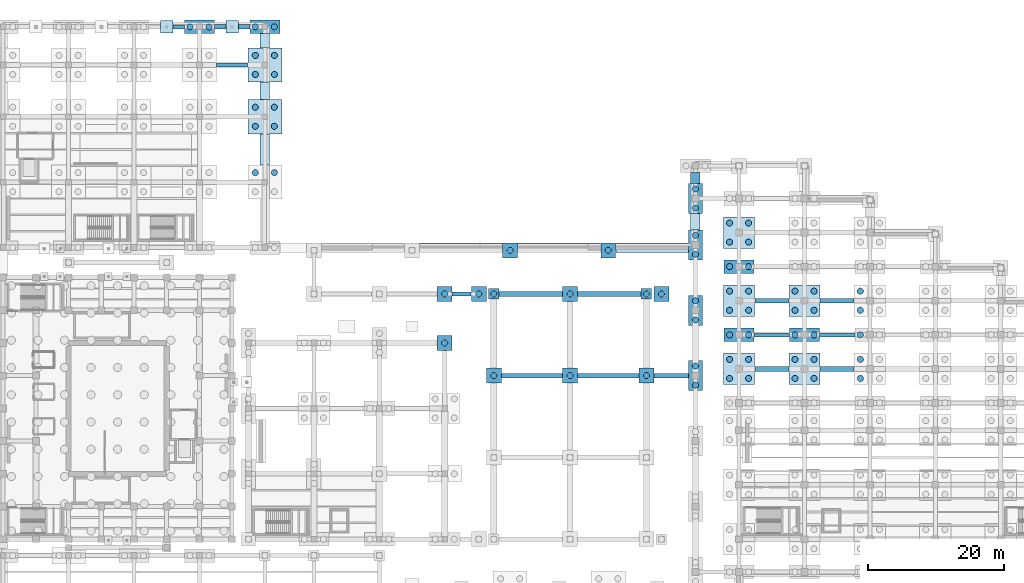
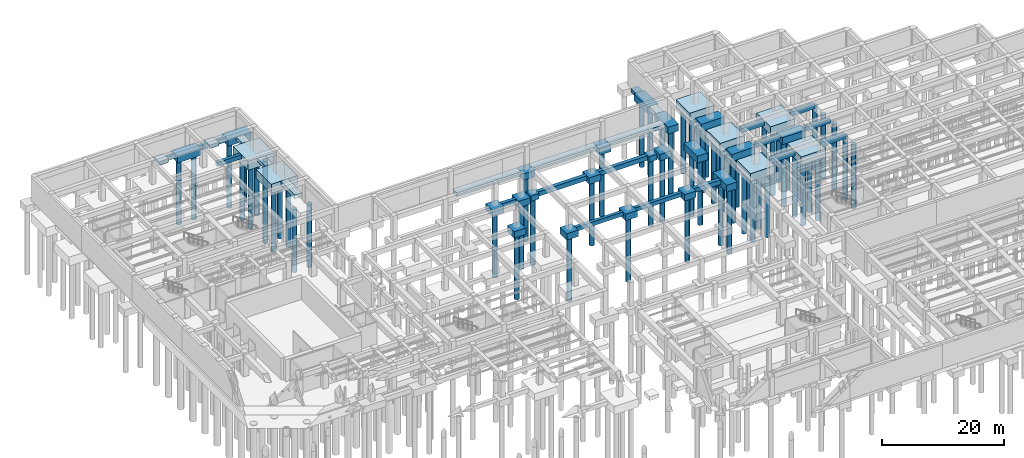
# One storey, part 7 of 56: 65 piles, 54 footings.
"""IFC4 building model written with IfcOpenShell, lengths in metres."""

import ifcopenshell
import ifcopenshell.guid

model = None  # the IFC model being written
_history = None  # IfcOwnerHistory: only IFC2X3 demands one
_inside = {}  # id of a spatial element -> (the spatial element, [elements in it])
_under = {}  # id of a project, library or spatial element -> (it, [spatial elements below it])
_declared = {}  # id of a project -> (the project, [libraries it declares])
_typed = {}  # id of a type object -> (the type object, [elements of that type])
_made_of = {}  # id of a material, layer set ... -> (it, [elements and type objects made of it])


def new_model(schema):
    """Start an empty IFC model of exactly this schema.

    Asked for "IFC4X3", IfcOpenShell would pick the latest addendum, in which some entities
    have other attributes; the version numbers below select the first issue.
    IFC2X3 requires an IfcOwnerHistory on every rooted entity: one is made here for all.
    """
    global model, _history
    if schema == "IFC4X3":
        model = ifcopenshell.file(schema_version=(4, 3, 0, 0))
    else:
        model = ifcopenshell.file(schema=schema)
    _inside.clear()
    _under.clear()
    _declared.clear()
    _typed.clear()
    _made_of.clear()
    _history = None
    if model.schema == "IFC2X3":
        org = make("IfcOrganization", Name="unknown")
        user = make(
            "IfcPersonAndOrganization",
            ThePerson=make("IfcPerson", FamilyName="unknown"),
            TheOrganization=org,
        )
        app = make(
            "IfcApplication",
            ApplicationDeveloper=org,
            Version="unknown",
            ApplicationFullName="unknown",
            ApplicationIdentifier="unknown",
        )
        _history = make(
            "IfcOwnerHistory",
            OwningUser=user,
            OwningApplication=app,
            ChangeAction="ADDED",
            CreationDate=0,
        )
    return model


def make(cls, **values):
    """One entity of the class cls with the attributes given. An attribute that is None is left unset."""
    return model.create_entity(
        cls, **{name: value for name, value in values.items() if value is not None}
    )


def rooted(cls, **values):
    """An entity with a GlobalId (a new one), such as an element, a storey or a relation."""
    return make(cls, GlobalId=ifcopenshell.guid.new(), OwnerHistory=_history, **values)


def si_unit(unit_type, name, prefix=None):
    """IfcSIUnit, for example si_unit("LENGTHUNIT", "METRE", prefix="MILLI")."""
    return make("IfcSIUnit", UnitType=unit_type, Prefix=prefix, Name=name)


def assignment(units):
    """IfcUnitAssignment: the units of a project."""
    return None if units is None else make("IfcUnitAssignment", Units=units)


def point(xyz):
    """IfcCartesianPoint."""
    return None if xyz is None else make("IfcCartesianPoint", Coordinates=xyz)


def direction(xyz):
    """IfcDirection."""
    return None if xyz is None else make("IfcDirection", DirectionRatios=xyz)


def frame(location, z_axis=None, x_axis=None):
    """IfcAxis2Placement3D, a coordinate frame: its origin and axes. An axis left out is left unset."""
    return make(
        "IfcAxis2Placement3D",
        Location=point(location),
        Axis=direction(z_axis),
        RefDirection=direction(x_axis),
    )


def frame_2d(location, x_axis=None):
    """IfcAxis2Placement2D, a coordinate frame in the plane: its origin and x axis."""
    return make(
        "IfcAxis2Placement2D", Location=point(location), RefDirection=direction(x_axis)
    )


def origin():
    """The frame at (0, 0, 0) with its axes left unset."""
    return frame((0.0, 0.0, 0.0))


def origin_2d():
    """The frame at (0, 0) in the plane with its x axis left unset."""
    return frame_2d((0.0, 0.0))


def place(relative_to, where):
    """IfcLocalPlacement: puts the frame where relative to a parent placement (None: the world)."""
    return make(
        "IfcLocalPlacement", PlacementRelTo=relative_to, RelativePlacement=where
    )


def context(
    kind, dimensions, precision=None, world=None, true_north=None, identifier=None
):
    """IfcGeometricRepresentationContext, for example the 3D "Model" context."""
    return make(
        "IfcGeometricRepresentationContext",
        ContextIdentifier=identifier,
        ContextType=kind,
        CoordinateSpaceDimension=dimensions,
        Precision=precision,
        WorldCoordinateSystem=world,
        TrueNorth=true_north,
    )


def subcontext(parent, identifier, kind, view, scale=None):
    """IfcGeometricRepresentationSubContext, for example "Body" below "Model"."""
    return make(
        "IfcGeometricRepresentationSubContext",
        ContextIdentifier=identifier,
        ContextType=kind,
        ParentContext=parent,
        TargetScale=scale,
        TargetView=view,
    )


def project(units=None, contexts=None):
    """IfcProject with its units and contexts."""
    return rooted(
        "IfcProject",
        Name="project",
        RepresentationContexts=contexts,
        UnitsInContext=assignment(units),
    )


def spatial(cls, under=None, at=None, **own):
    """A site, building, storey or space (cls), placed at a placement, below another one or the project."""
    s = rooted(cls, ObjectPlacement=at, **own)
    if under is not None:
        _under.setdefault(under.id(), (under, []))[1].append(s)
    return s


def profile(cls, at=None, kind="AREA", **sizes):
    """A parametric profile (cls). Its sizes go by their IFC names, for example OverallWidth=200.0."""
    return make(cls, ProfileType=kind, Position=at, **sizes)


def rectangle(**sizes):
    """IfcRectangleProfileDef."""
    return profile("IfcRectangleProfileDef", **sizes)


def circle(**sizes):
    """IfcCircleProfileDef."""
    return profile("IfcCircleProfileDef", **sizes)


def extrude(swept, where, along, depth):
    """IfcExtrudedAreaSolid: the profile swept, set in the frame where, extruded along a direction by depth."""
    return make(
        "IfcExtrudedAreaSolid",
        SweptArea=swept,
        Position=where,
        ExtrudedDirection=direction(along),
        Depth=depth,
    )


def shape(context_of_items, identifier, shape_type, items):
    """IfcShapeRepresentation: the items that make up one representation, for example the "Body"."""
    return make(
        "IfcShapeRepresentation",
        ContextOfItems=context_of_items,
        RepresentationIdentifier=identifier,
        RepresentationType=shape_type,
        Items=items,
    )


def material(Name=None, Category=None):
    """IfcMaterial."""
    return make("IfcMaterial", Name=Name, Category=Category)


def material_profile(
    of_material, cross_section, Name=None, Category=None, Priority=None
):
    """IfcMaterialProfile: a cross section and its material."""
    return make(
        "IfcMaterialProfile",
        Name=Name,
        Material=of_material,
        Profile=cross_section,
        Priority=Priority,
        Category=Category,
    )


def profile_set(profiles, Name=None, composite=None):
    """IfcMaterialProfileSet."""
    return make(
        "IfcMaterialProfileSet",
        Name=Name,
        MaterialProfiles=profiles,
        CompositeProfile=composite,
    )


def made_of(thing, what):
    """Note that an element or type object is made of a material, layer set ...; save() writes the relation."""
    if what is not None:
        _made_of.setdefault(what.id(), (what, []))[1].append(thing)
    return thing


def type_object(cls, material=None, **own):
    """A type object (cls), such as IfcWallType, which elements share."""
    return made_of(rooted(cls, **own), material)


def element(
    cls,
    number,
    at=None,
    inside=None,
    cuts=None,
    type_object=None,
    material=None,
    context=None,
    identifier="Body",
    shape_type=None,
    held_by="IfcProductDefinitionShape",
    body=None,
    shapes=None,
    **own,
):
    """One element of the class cls, such as IfcWall. Its Tag is "e" and its number.

    at: its placement. inside: the storey or other place that contains it. cuts: it is an
    opening in that element (IfcRelVoidsElement). A single representation is given by context,
    identifier, shape_type and body (its items); several are given by shapes. held_by: the class
    of the entity that holds the representations. save() writes the other relations.
    """
    e = rooted(cls, Tag="e%d" % number, ObjectPlacement=at, **own)
    if body is not None:
        shapes = [shape(context, identifier, shape_type, body)]
    if shapes is not None:
        e.Representation = make(held_by, Representations=shapes)
    if inside is not None:
        _inside.setdefault(inside.id(), (inside, []))[1].append(e)
    if cuts is not None:
        rooted(
            "IfcRelVoidsElement", RelatingBuildingElement=cuts, RelatedOpeningElement=e
        )
    if type_object is not None:
        _typed.setdefault(type_object.id(), (type_object, []))[1].append(e)
    return made_of(e, material)


def aggregate(whole, parts):
    """IfcRelAggregates: a whole, such as a stair, and the parts it consists of."""
    return rooted("IfcRelAggregates", RelatingObject=whole, RelatedObjects=parts)


def save(model, path):
    """Write the relations noted so far, then the file.

    IfcRelAggregates (storeys below a building ...), IfcRelContainedInSpatialStructure (elements
    in a storey), IfcRelDefinesByType, IfcRelAssociatesMaterial and IfcRelDeclares: one each for
    every whole, place, type object, material and project.
    """
    for whole, parts in _under.values():
        aggregate(whole, parts)
    for where, things in _inside.values():
        rooted(
            "IfcRelContainedInSpatialStructure",
            RelatedElements=things,
            RelatingStructure=where,
        )
    for kind, things in _typed.values():
        rooted("IfcRelDefinesByType", RelatedObjects=things, RelatingType=kind)
    for what, things in _made_of.values():
        rooted("IfcRelAssociatesMaterial", RelatedObjects=things, RelatingMaterial=what)
    for by, libraries in _declared.values():
        rooted("IfcRelDeclares", RelatingContext=by, RelatedDefinitions=libraries)
    model.write(path)


model = new_model("IFC4")

# Units and contexts
model_context = context("Model", 3, precision=1e-05, world=origin(), true_north=direction((0.0, 1.0)))
body_context = subcontext(model_context, "Body", "Model", "MODEL_VIEW")
ifc_project = project(units=[si_unit("LENGTHUNIT", "METRE"), si_unit("AREAUNIT", "SQUARE_METRE"), si_unit("VOLUMEUNIT", "CUBIC_METRE"), si_unit("PLANEANGLEUNIT", "RADIAN"), si_unit("MASSUNIT", "GRAM", prefix="KILO")], contexts=[model_context])

# Site, building, storey
site_placement = place(None, origin())
site = spatial("IfcSite", under=ifc_project, at=site_placement, CompositionType="ELEMENT")
building_placement = place(site_placement, origin())
building = spatial("IfcBuilding", under=site, at=building_placement, Name="Mavantir Sound Aquarium", CompositionType="ELEMENT")
storey_placement = place(building_placement, frame((0.0, 0.0, -9.60009765625)))
storey = spatial("IfcBuildingStorey", under=building, at=storey_placement, Name="B2", CompositionType="ELEMENT", Elevation=-9.60009765625)

# Footings
ifc_material = material(Name="Concrete C40/50", Category="concrete")
ifc_material_profile_1 = material_profile(ifc_material, rectangle(XDim=0.60009765625, YDim=0.800048828125, at=origin_2d()), Name="RC 600X800")
ifc_profile_set_1 = profile_set([ifc_material_profile_1], Name="Concrete C40/50")
footing_type_1 = type_object("IfcFootingType", Name="FB-01", PredefinedType="FOOTING_BEAM", material=ifc_profile_set_1)
footing_1_placement = place(storey_placement, frame((24.907958984375, 116.0, -0.39990234375), z_axis=(1.0, 0.0, 0.0), x_axis=(0.0, 1.0, 0.0)))
element("IfcFooting", 1, at=footing_1_placement, inside=storey, type_object=footing_type_1, Name="Foundation tie beam FB-01 25.2", PredefinedType="FOOTING_BEAM", context=body_context, shape_type="SweptSolid", body=[
    extrude(rectangle(XDim=0.60009765625, YDim=0.800048828125, at=origin_2d()), origin(), (0.0, 0.0, 1.0), 1.68408203125),
])
footing_2_placement = place(storey_placement, frame((31.30810546875, 110.39990234375, -0.39990234375), z_axis=(1.0, 0.0, 0.0), x_axis=(0.0, 1.0, 0.0)))
element("IfcFooting", 2, at=footing_2_placement, inside=storey, type_object=footing_type_1, Name="Foundation tie beam FB-01 31", PredefinedType="FOOTING_BEAM", context=body_context, shape_type="SweptSolid", body=[
    extrude(rectangle(XDim=0.60009765625, YDim=0.800048828125, at=origin_2d()), origin(), (0.0, 0.0, 1.0), 4.583984375),
])
footing_3_placement = place(storey_placement, frame((65.89990234375, 76.800048828125, -0.39990234375), z_axis=(1.0, 0.0, 0.0), x_axis=(0.0, 1.0, 0.0)))
element("IfcFooting", 3, at=footing_3_placement, inside=storey, type_object=footing_type_1, Name="Foundation tie beam FB-01 57", PredefinedType="FOOTING_BEAM", context=body_context, shape_type="SweptSolid", body=[
    extrude(rectangle(XDim=0.60009765625, YDim=0.800048828125, at=origin_2d()), origin(), (0.0, 0.0, 1.0), 2.7919921875),
])
footing_4_placement = place(storey_placement, frame((73.10791015625, 64.800048828125, -0.39990234375), z_axis=(1.0, 0.0, 0.0), x_axis=(0.0, 1.0, 0.0)))
element("IfcFooting", 4, at=footing_4_placement, inside=storey, type_object=footing_type_1, Name="Foundation tie beam FB-01 65", PredefinedType="FOOTING_BEAM", context=body_context, shape_type="SweptSolid", body=[
    extrude(rectangle(XDim=0.60009765625, YDim=0.800048828125, at=origin_2d()), origin(), (0.0, 0.0, 1.0), 8.9921875),
])
footing_5_placement = place(storey_placement, frame((84.30810546875, 64.800048828125, -0.39990234375), z_axis=(1.0, 0.0, 0.0), x_axis=(0.0, 1.0, 0.0)))
element("IfcFooting", 5, at=footing_5_placement, inside=storey, type_object=footing_type_1, Name="Foundation tie beam FB-01 73", PredefinedType="FOOTING_BEAM", context=body_context, shape_type="SweptSolid", body=[
    extrude(rectangle(XDim=0.60009765625, YDim=0.800048828125, at=origin_2d()), origin(), (0.0, 0.0, 1.0), 8.991943359375),
])
footing_6_placement = place(storey_placement, frame((110.2080078125, 70.800048828125, -0.39990234375), z_axis=(1.0, 0.0, 0.0), x_axis=(0.0, 1.0, 0.0)))
element("IfcFooting", 6, at=footing_6_placement, inside=storey, type_object=footing_type_1, Name="Foundation tie beam FB-01 91", PredefinedType="FOOTING_BEAM", context=body_context, shape_type="SweptSolid", body=[
    extrude(rectangle(XDim=0.60009765625, YDim=0.800048828125, at=origin_2d()), origin(), (0.0, 0.0, 1.0), 5.18408203125),
])
footing_7_placement = place(storey_placement, frame((119.80810546875, 70.800048828125, -0.39990234375), z_axis=(1.0, 0.0, 0.0), x_axis=(0.0, 1.0, 0.0)))
element("IfcFooting", 7, at=footing_7_placement, inside=storey, type_object=footing_type_1, Name="Foundation tie beam FB-01 107", PredefinedType="FOOTING_BEAM", context=body_context, shape_type="SweptSolid", body=[
    extrude(rectangle(XDim=0.60009765625, YDim=0.800048828125, at=origin_2d()), origin(), (0.0, 0.0, 1.0), 5.183837890625),
])
ifc_material_profile_2 = material_profile(ifc_material, rectangle(XDim=0.699951171875, YDim=0.89990234375, at=origin_2d()), Name="RC 700X900")
ifc_profile_set_2 = profile_set([ifc_material_profile_2], Name="Concrete C40/50")
footing_type_2 = type_object("IfcFootingType", Name="FB-02", PredefinedType="FOOTING_BEAM", material=ifc_profile_set_2)
for number, where, z_axis, x_axis, name in (
    (8, (31.008056640625, 116.0, -0.449951171875), (1.0, 0.0, 0.0), (0.0, 1.0, 0.0), "Foundation tie beam FB-02 32.1"),
    (9, (34.508056640625, 116.0, -0.449951171875), (1.0, 0.0, 0.0), (0.0, 1.0, 0.0), "Foundation tie beam FB-02 32.2"),
):
    element("IfcFooting", number, at=place(storey_placement, frame(where, z_axis=z_axis, x_axis=x_axis)), inside=storey, type_object=footing_type_2, Name=name, PredefinedType="FOOTING_BEAM", context=body_context, shape_type="SweptSolid", body=[
        extrude(rectangle(XDim=0.699951171875, YDim=0.89990234375, at=origin_2d()), origin(), (0.0, 0.0, 1.0), 1.683837890625),
    ])
footing_8_placement = place(storey_placement, frame((72.782958984375, 76.800048828125, -0.449951171875), z_axis=(1.0, 0.0, 0.0), x_axis=(0.0, 1.0, 0.0)))
element("IfcFooting", 10, at=footing_8_placement, inside=storey, type_object=footing_type_2, Name="Foundation tie beam FB-02 66", PredefinedType="FOOTING_BEAM", context=body_context, shape_type="SweptSolid", body=[
    extrude(rectangle(XDim=0.699951171875, YDim=0.89990234375, at=origin_2d()), origin(), (0.0, 0.0, 1.0), 9.317138671875),
])
footing_9_placement = place(storey_placement, frame((84.30810546875, 76.800048828125, -0.449951171875), z_axis=(1.0, 0.0, 0.0), x_axis=(0.0, 1.0, 0.0)))
element("IfcFooting", 11, at=footing_9_placement, inside=storey, type_object=footing_type_2, Name="Foundation tie beam FB-02 74", PredefinedType="FOOTING_BEAM", context=body_context, shape_type="SweptSolid", body=[
    extrude(rectangle(XDim=0.699951171875, YDim=0.89990234375, at=origin_2d()), origin(), (0.0, 0.0, 1.0), 9.308837890625),
])
footing_10_placement = place(storey_placement, frame((95.508056640625, 64.800048828125, -0.449951171875), z_axis=(1.0, 0.0, 0.0), x_axis=(0.0, 1.0, 0.0)))
element("IfcFooting", 12, at=footing_10_placement, inside=storey, type_object=footing_type_2, Name="Foundation tie beam FB-02 80", PredefinedType="FOOTING_BEAM", context=body_context, shape_type="SweptSolid", body=[
    extrude(rectangle(XDim=0.699951171875, YDim=0.89990234375, at=origin_2d()), origin(), (0.0, 0.0, 1.0), 5.083984375),
])
for number, where, z_axis, x_axis, name in (
    (13, (110.30810546875, 65.800048828125, -0.449951171875), (1.0, 0.0, 0.0), (0.0, 1.0, 0.0), "Foundation tie beam FB-02 90"),
    (14, (110.30810546875, 75.800048828125, -0.449951171875), (1.0, 0.0, 0.0), (0.0, 1.0, 0.0), "Foundation tie beam FB-02 92"),
):
    element("IfcFooting", number, at=place(storey_placement, frame(where, z_axis=z_axis, x_axis=x_axis)), inside=storey, type_object=footing_type_2, Name=name, PredefinedType="FOOTING_BEAM", context=body_context, shape_type="SweptSolid", body=[
        extrude(rectangle(XDim=0.699951171875, YDim=0.89990234375, at=origin_2d()), origin(), (0.0, 0.0, 1.0), 4.98388671875),
    ])
for number, where, z_axis, x_axis, name in (
    (15, (119.89990234375, 65.800048828125, -0.449951171875), (1.0, 0.0, 0.0), (0.0, 1.0, 0.0), "Foundation tie beam FB-02 106"),
    (16, (119.89990234375, 75.800048828125, -0.449951171875), (1.0, 0.0, 0.0), (0.0, 1.0, 0.0), "Foundation tie beam FB-02 108"),
):
    element("IfcFooting", number, at=place(storey_placement, frame(where, z_axis=z_axis, x_axis=x_axis)), inside=storey, type_object=footing_type_2, Name=name, PredefinedType="FOOTING_BEAM", context=body_context, shape_type="SweptSolid", body=[
        extrude(rectangle(XDim=0.699951171875, YDim=0.89990234375, at=origin_2d()), origin(), (0.0, 0.0, 1.0), 4.9921875),
    ])
footing_type_3 = type_object("IfcFootingType", Name="PC-01", PredefinedType="PILE_CAP", material=ifc_material)
for number, where, z_axis, x_axis, name in (
    (17, (108.0, 65.800048828125, -1.599853515625), (0.0, 0.0, 1.0), (1.0, 0.0, 0.0), "Pile cap PC-01 63"),
    (18, (108.0, 75.800048828125, -1.599853515625), (0.0, 0.0, 1.0), (1.0, 0.0, 0.0), "Pile cap PC-01 65"),
    (19, (108.0, 85.800048828125, -1.599853515625), (0.0, 0.0, 1.0), (1.0, 0.0, 0.0), "Pile cap PC-01 67"),
    (20, (117.60009765625, 65.800048828125, -1.599853515625), (0.0, 0.0, 1.0), (1.0, 0.0, 0.0), "Pile cap PC-01 75"),
    (21, (117.60009765625, 75.800048828125, -1.599853515625), (0.0, 0.0, 1.0), (1.0, 0.0, 0.0), "Pile cap PC-01 77"),
):
    element("IfcFooting", number, at=place(storey_placement, frame(where, z_axis=z_axis, x_axis=x_axis)), inside=storey, type_object=footing_type_3, Name=name, PredefinedType="PILE_CAP", context=body_context, shape_type="SweptSolid", body=[
        extrude(rectangle(XDim=4.60009765625, YDim=4.60009765625, at=origin_2d()), origin(), (0.0, 0.0, 1.0), 1.60009765625),
    ])
footing_type_4 = type_object("IfcFootingType", Name="PC-03", PredefinedType="PILE_CAP", material=ifc_material)
for number, where, z_axis, x_axis, name in (
    (22, (108.0, 70.800048828125, -1.39990234375), (0.0, 0.0, 1.0), (1.0, 0.0, 0.0), "Pile cap PC-03 64"),
    (23, (108.0, 80.800048828125, -1.39990234375), (0.0, 0.0, 1.0), (1.0, 0.0, 0.0), "Pile cap PC-03 66"),
    (24, (117.60009765625, 70.800048828125, -1.39990234375), (0.0, 0.0, 1.0), (1.0, 0.0, 0.0), "Pile cap PC-03 76"),
    (25, (28.800048828125, 116.0, -1.39990234375), (0.0, 0.0, 1.0), (1.0, 0.0, 0.0), "Pile cap PC-03 152"),
    (26, (38.39990234375, 116.0, -1.39990234375), (0.0, 0.0, 1.0), (1.0, 0.0, 0.0), "Pile cap PC-03 157"),
):
    element("IfcFooting", number, at=place(storey_placement, frame(where, z_axis=z_axis, x_axis=x_axis)), inside=storey, type_object=footing_type_4, Name=name, PredefinedType="PILE_CAP", context=body_context, shape_type="SweptSolid", body=[
        extrude(rectangle(XDim=4.39990234375, YDim=2.0, at=origin_2d()), origin(), (0.0, 0.0, 1.0), 1.39990234375),
    ])
footing_type_5 = type_object("IfcFootingType", Name="PC-04", PredefinedType="PILE_CAP", material=ifc_material)
for number, where, z_axis, x_axis, name in (
    (27, (101.60009765625, 64.800048828125, -1.39990234375), (0.0, 0.0, 1.0), (1.0, 0.0, 0.0), "Pile cap PC-04 53"),
    (28, (101.60009765625, 74.39990234375, -1.39990234375), (0.0, 0.0, 1.0), (1.0, 0.0, 0.0), "Pile cap PC-04 54"),
    (29, (101.60009765625, 84.0, -1.39990234375), (0.0, 0.0, 1.0), (1.0, 0.0, 0.0), "Pile cap PC-04 55"),
    (30, (101.60009765625, 90.800048828125, -1.39990234375), (0.0, 0.0, 1.0), (1.0, 0.0, 0.0), "Pile cap PC-04 56"),
):
    element("IfcFooting", number, at=place(storey_placement, frame(where, z_axis=z_axis, x_axis=x_axis)), inside=storey, type_object=footing_type_5, Name=name, PredefinedType="PILE_CAP", context=body_context, shape_type="SweptSolid", body=[
        extrude(rectangle(XDim=2.0, YDim=4.39990234375, at=origin_2d()), origin(), (0.0, 0.0, 1.0), 1.39990234375),
    ])
footing_type_6 = type_object("IfcFootingType", Name="PC-06", PredefinedType="PILE_CAP", material=ifc_material)
for number, where, z_axis, x_axis, name in (
    (31, (38.39990234375, 102.800048828125, -1.7998046875), (0.0, 0.0, 1.0), (1.0, 0.0, 0.0), "Pile cap PC-06 155"),
    (32, (38.39990234375, 110.39990234375, -1.7998046875), (0.0, 0.0, 1.0), (1.0, 0.0, 0.0), "Pile cap PC-06 156"),
):
    element("IfcFooting", number, at=place(storey_placement, frame(where, z_axis=z_axis, x_axis=x_axis)), inside=storey, type_object=footing_type_6, Name=name, PredefinedType="PILE_CAP", context=body_context, shape_type="SweptSolid", body=[
        extrude(rectangle(XDim=5.0, YDim=5.0, at=origin_2d()), origin(), (0.0, 0.0, 1.0), 1.800048828125),
    ])
footing_type_7 = type_object("IfcFootingType", Name="PC-08", PredefinedType="PILE_CAP", material=ifc_material)
for number, where, z_axis, x_axis, name in (
    (33, (64.800048828125, 69.60009765625, -1.2998046875), (0.0, 0.0, 1.0), (1.0, 0.0, 0.0), "Pile cap PC-08 16"),
    (34, (69.800048828125, 76.800048828125, -1.2998046875), (0.0, 0.0, 1.0), (1.0, 0.0, 0.0), "Pile cap PC-08 219"),
    (35, (96.60009765625, 76.800048828125, -1.2998046875), (0.0, 0.0, 1.0), (1.0, 0.0, 0.0), "Pile cap PC-08 220"),
    (36, (72.0, 64.800048828125, -1.2998046875), (0.0, 0.0, 1.0), (1.0, 0.0, 0.0), "Pile cap PC-08 224"),
    (37, (83.199951171875, 64.800048828125, -1.2998046875), (0.0, 0.0, 1.0), (1.0, 0.0, 0.0), "Pile cap PC-08 225"),
    (38, (94.39990234375, 64.800048828125, -1.2998046875), (0.0, 0.0, 1.0), (1.0, 0.0, 0.0), "Pile cap PC-08 226"),
    (39, (83.199951171875, 76.800048828125, -1.2998046875), (0.0, 0.0, 1.0), (1.0, 0.0, 0.0), "Pile cap PC-08 228"),
    (40, (64.800048828125, 76.800048828125, -1.2998046875), (0.0, 0.0, 1.0), (1.0, 0.0, 0.0), "Pile cap PC-08 232"),
    (41, (74.39990234375, 83.199951171875, -1.2998046875), (0.0, 0.0, 1.0), (1.0, 0.0, 0.0), "Pile cap PC-08 239"),
    (42, (88.800048828125, 83.199951171875, -1.2998046875), (0.0, 0.0, 1.0), (1.0, 0.0, 0.0), "Pile cap PC-08 240"),
):
    element("IfcFooting", number, at=place(storey_placement, frame(where, z_axis=z_axis, x_axis=x_axis)), inside=storey, type_object=footing_type_7, Name=name, PredefinedType="PILE_CAP", context=body_context, shape_type="SweptSolid", body=[
        extrude(rectangle(XDim=2.199951171875, YDim=2.199951171875, at=origin_2d()), origin(), (0.0, 0.0, 1.0), 1.300048828125),
    ])
footing_type_8 = type_object("IfcFootingType", Name="PC-13", PredefinedType="PILE_CAP", material=ifc_material)
for number, where, z_axis, x_axis, name in (
    (43, (72.0, 76.800048828125, -1.099853515625), (0.0, 0.0, 1.0), (1.0, 0.0, 0.0), "Pile cap PC-13 227"),
    (44, (94.39990234375, 76.800048828125, -1.099853515625), (0.0, 0.0, 1.0), (1.0, 0.0, 0.0), "Pile cap PC-13 229"),
):
    element("IfcFooting", number, at=place(storey_placement, frame(where, z_axis=z_axis, x_axis=x_axis)), inside=storey, type_object=footing_type_8, Name=name, PredefinedType="PILE_CAP", context=body_context, shape_type="SweptSolid", body=[
        extrude(rectangle(XDim=1.550048828125, YDim=1.550048828125, at=origin_2d()), origin(), (0.0, 0.0, 1.0), 1.10009765625),
    ])
footing_type_9 = type_object("IfcFootingType", Name="PF-01", PredefinedType="PAD_FOOTING", material=ifc_material)
for number, where, z_axis, x_axis, name in (
    (45, (24.0, 116.0, -0.75), (0.0, 0.0, 1.0), (1.0, 0.0, 0.0), "Pilaster pad footing 7"),
    (46, (33.60009765625, 116.0, -0.75), (0.0, 0.0, 1.0), (1.0, 0.0, 0.0), "Pilaster pad footing 8"),
):
    element("IfcFooting", number, at=place(storey_placement, frame(where, z_axis=z_axis, x_axis=x_axis)), inside=storey, type_object=footing_type_9, Name=name, PredefinedType="PAD_FOOTING", context=body_context, shape_type="SweptSolid", body=[
        extrude(rectangle(XDim=1.800048828125, YDim=1.800048828125, at=origin_2d()), origin(), (0.0, 0.0, 1.0), 0.75),
    ])

# Piles
ifc_material_profile_3 = material_profile(ifc_material, circle(Radius=0.449951171875, at=origin_2d()), Name="PILE D900")
ifc_profile_set_3 = profile_set([ifc_material_profile_3], Name="Concrete C40/50")
pile_type = type_object("IfcPileType", Name="PILE-D900", PredefinedType="BORED", material=ifc_profile_set_3)
pile_1_placement = place(storey_placement, frame((64.800048828125, 69.60009765625, -1.199951171875), z_axis=(0.0, 0.0, -1.0), x_axis=(1.0, 0.0, 0.0)))
element("IfcPile", 47, at=pile_1_placement, inside=storey, type_object=pile_type, Name="Bored pile P-900 123", PredefinedType="BORED", context=body_context, shape_type="SweptSolid", body=[
    extrude(circle(Radius=0.449951171875, at=origin_2d()), origin(), (0.0, 0.0, 1.0), 13.199951171875),
])
for number, where, z_axis, x_axis, name in (
    (48, (101.60009765625, 63.39990234375, -1.2998046875), (0.0, 0.0, -1.0), (1.0, 0.0, 0.0), "Bored pile P-900 215"),
    (49, (101.60009765625, 66.199951171875, -1.2998046875), (0.0, 0.0, -1.0), (1.0, 0.0, 0.0), "Bored pile P-900 216"),
    (50, (101.60009765625, 73.0, -1.2998046875), (0.0, 0.0, -1.0), (1.0, 0.0, 0.0), "Bored pile P-900 217"),
    (51, (101.60009765625, 75.800048828125, -1.2998046875), (0.0, 0.0, -1.0), (1.0, 0.0, 0.0), "Bored pile P-900 218"),
    (52, (101.60009765625, 82.60009765625, -1.2998046875), (0.0, 0.0, -1.0), (1.0, 0.0, 0.0), "Bored pile P-900 219"),
    (53, (101.60009765625, 85.39990234375, -1.2998046875), (0.0, 0.0, -1.0), (1.0, 0.0, 0.0), "Bored pile P-900 220"),
    (54, (101.60009765625, 89.39990234375, -1.2998046875), (0.0, 0.0, -1.0), (1.0, 0.0, 0.0), "Bored pile P-900 221"),
    (55, (101.60009765625, 92.199951171875, -1.2998046875), (0.0, 0.0, -1.0), (1.0, 0.0, 0.0), "Bored pile P-900 222"),
):
    element("IfcPile", number, at=place(storey_placement, frame(where, z_axis=z_axis, x_axis=x_axis)), inside=storey, type_object=pile_type, Name=name, PredefinedType="BORED", context=body_context, shape_type="SweptSolid", body=[
        extrude(circle(Radius=0.449951171875, at=origin_2d()), origin(), (0.0, 0.0, 1.0), 13.10009765625),
    ])
for number, where, z_axis, x_axis, name in (
    (56, (106.60009765625, 64.39990234375, -1.5), (0.0, 0.0, -1.0), (1.0, 0.0, 0.0), "Bored pile P-900 241"),
    (57, (109.39990234375, 64.39990234375, -1.5), (0.0, 0.0, -1.0), (1.0, 0.0, 0.0), "Bored pile P-900 242"),
    (58, (106.60009765625, 67.199951171875, -1.5), (0.0, 0.0, -1.0), (1.0, 0.0, 0.0), "Bored pile P-900 243"),
    (59, (109.39990234375, 67.199951171875, -1.5), (0.0, 0.0, -1.0), (1.0, 0.0, 0.0), "Bored pile P-900 244"),
):
    element("IfcPile", number, at=place(storey_placement, frame(where, z_axis=z_axis, x_axis=x_axis)), inside=storey, type_object=pile_type, Name=name, PredefinedType="BORED", context=body_context, shape_type="SweptSolid", body=[
        extrude(circle(Radius=0.449951171875, at=origin_2d()), origin(), (0.0, 0.0, 1.0), 12.89990234375),
    ])
for number, where, z_axis, x_axis, name in (
    (60, (106.60009765625, 70.800048828125, -1.2998046875), (0.0, 0.0, -1.0), (1.0, 0.0, 0.0), "Bored pile P-900 245"),
    (61, (109.39990234375, 70.800048828125, -1.2998046875), (0.0, 0.0, -1.0), (1.0, 0.0, 0.0), "Bored pile P-900 246"),
):
    element("IfcPile", number, at=place(storey_placement, frame(where, z_axis=z_axis, x_axis=x_axis)), inside=storey, type_object=pile_type, Name=name, PredefinedType="BORED", context=body_context, shape_type="SweptSolid", body=[
        extrude(circle(Radius=0.449951171875, at=origin_2d()), origin(), (0.0, 0.0, 1.0), 13.10009765625),
    ])
for number, where, z_axis, x_axis, name in (
    (62, (106.60009765625, 74.39990234375, -1.5), (0.0, 0.0, -1.0), (1.0, 0.0, 0.0), "Bored pile P-900 247"),
    (63, (109.39990234375, 74.39990234375, -1.5), (0.0, 0.0, -1.0), (1.0, 0.0, 0.0), "Bored pile P-900 248"),
    (64, (106.60009765625, 77.199951171875, -1.5), (0.0, 0.0, -1.0), (1.0, 0.0, 0.0), "Bored pile P-900 249"),
    (65, (109.39990234375, 77.199951171875, -1.5), (0.0, 0.0, -1.0), (1.0, 0.0, 0.0), "Bored pile P-900 250"),
):
    element("IfcPile", number, at=place(storey_placement, frame(where, z_axis=z_axis, x_axis=x_axis)), inside=storey, type_object=pile_type, Name=name, PredefinedType="BORED", context=body_context, shape_type="SweptSolid", body=[
        extrude(circle(Radius=0.449951171875, at=origin_2d()), origin(), (0.0, 0.0, 1.0), 12.89990234375),
    ])
for number, where, z_axis, x_axis, name in (
    (66, (106.60009765625, 80.800048828125, -1.2998046875), (0.0, 0.0, -1.0), (1.0, 0.0, 0.0), "Bored pile P-900 251"),
    (67, (109.39990234375, 80.800048828125, -1.2998046875), (0.0, 0.0, -1.0), (1.0, 0.0, 0.0), "Bored pile P-900 252"),
):
    element("IfcPile", number, at=place(storey_placement, frame(where, z_axis=z_axis, x_axis=x_axis)), inside=storey, type_object=pile_type, Name=name, PredefinedType="BORED", context=body_context, shape_type="SweptSolid", body=[
        extrude(circle(Radius=0.449951171875, at=origin_2d()), origin(), (0.0, 0.0, 1.0), 13.10009765625),
    ])
for number, where, z_axis, x_axis, name in (
    (68, (106.60009765625, 84.39990234375, -1.5), (0.0, 0.0, -1.0), (1.0, 0.0, 0.0), "Bored pile P-900 253"),
    (69, (109.39990234375, 84.39990234375, -1.5), (0.0, 0.0, -1.0), (1.0, 0.0, 0.0), "Bored pile P-900 254"),
    (70, (106.60009765625, 87.199951171875, -1.5), (0.0, 0.0, -1.0), (1.0, 0.0, 0.0), "Bored pile P-900 255"),
    (71, (109.39990234375, 87.199951171875, -1.5), (0.0, 0.0, -1.0), (1.0, 0.0, 0.0), "Bored pile P-900 256"),
    (72, (116.199951171875, 64.39990234375, -1.5), (0.0, 0.0, -1.0), (1.0, 0.0, 0.0), "Bored pile P-900 276"),
    (73, (119.0, 64.39990234375, -1.5), (0.0, 0.0, -1.0), (1.0, 0.0, 0.0), "Bored pile P-900 277"),
    (74, (116.199951171875, 67.199951171875, -1.5), (0.0, 0.0, -1.0), (1.0, 0.0, 0.0), "Bored pile P-900 278"),
    (75, (119.0, 67.199951171875, -1.5), (0.0, 0.0, -1.0), (1.0, 0.0, 0.0), "Bored pile P-900 279"),
):
    element("IfcPile", number, at=place(storey_placement, frame(where, z_axis=z_axis, x_axis=x_axis)), inside=storey, type_object=pile_type, Name=name, PredefinedType="BORED", context=body_context, shape_type="SweptSolid", body=[
        extrude(circle(Radius=0.449951171875, at=origin_2d()), origin(), (0.0, 0.0, 1.0), 12.89990234375),
    ])
for number, where, z_axis, x_axis, name in (
    (76, (116.199951171875, 70.800048828125, -1.2998046875), (0.0, 0.0, -1.0), (1.0, 0.0, 0.0), "Bored pile P-900 280"),
    (77, (119.0, 70.800048828125, -1.2998046875), (0.0, 0.0, -1.0), (1.0, 0.0, 0.0), "Bored pile P-900 281"),
):
    element("IfcPile", number, at=place(storey_placement, frame(where, z_axis=z_axis, x_axis=x_axis)), inside=storey, type_object=pile_type, Name=name, PredefinedType="BORED", context=body_context, shape_type="SweptSolid", body=[
        extrude(circle(Radius=0.449951171875, at=origin_2d()), origin(), (0.0, 0.0, 1.0), 13.10009765625),
    ])
for number, where, z_axis, x_axis, name in (
    (78, (116.199951171875, 74.39990234375, -1.5), (0.0, 0.0, -1.0), (1.0, 0.0, 0.0), "Bored pile P-900 282"),
    (79, (119.0, 74.39990234375, -1.5), (0.0, 0.0, -1.0), (1.0, 0.0, 0.0), "Bored pile P-900 283"),
    (80, (116.199951171875, 77.199951171875, -1.5), (0.0, 0.0, -1.0), (1.0, 0.0, 0.0), "Bored pile P-900 284"),
    (81, (119.0, 77.199951171875, -1.5), (0.0, 0.0, -1.0), (1.0, 0.0, 0.0), "Bored pile P-900 285"),
    (82, (125.800048828125, 64.39990234375, -1.5), (0.0, 0.0, -1.0), (1.0, 0.0, 0.0), "Bored pile P-900 311"),
    (83, (125.800048828125, 67.199951171875, -1.5), (0.0, 0.0, -1.0), (1.0, 0.0, 0.0), "Bored pile P-900 313"),
):
    element("IfcPile", number, at=place(storey_placement, frame(where, z_axis=z_axis, x_axis=x_axis)), inside=storey, type_object=pile_type, Name=name, PredefinedType="BORED", context=body_context, shape_type="SweptSolid", body=[
        extrude(circle(Radius=0.449951171875, at=origin_2d()), origin(), (0.0, 0.0, 1.0), 12.89990234375),
    ])
pile_2_placement = place(storey_placement, frame((125.800048828125, 70.800048828125, -1.2998046875), z_axis=(0.0, 0.0, -1.0), x_axis=(1.0, 0.0, 0.0)))
element("IfcPile", 84, at=pile_2_placement, inside=storey, type_object=pile_type, Name="Bored pile P-900 315", PredefinedType="BORED", context=body_context, shape_type="SweptSolid", body=[
    extrude(circle(Radius=0.449951171875, at=origin_2d()), origin(), (0.0, 0.0, 1.0), 13.10009765625),
])
for number, where, z_axis, x_axis, name in (
    (85, (125.800048828125, 74.39990234375, -1.5), (0.0, 0.0, -1.0), (1.0, 0.0, 0.0), "Bored pile P-900 317"),
    (86, (125.800048828125, 77.199951171875, -1.5), (0.0, 0.0, -1.0), (1.0, 0.0, 0.0), "Bored pile P-900 319"),
):
    element("IfcPile", number, at=place(storey_placement, frame(where, z_axis=z_axis, x_axis=x_axis)), inside=storey, type_object=pile_type, Name=name, PredefinedType="BORED", context=body_context, shape_type="SweptSolid", body=[
        extrude(circle(Radius=0.449951171875, at=origin_2d()), origin(), (0.0, 0.0, 1.0), 12.89990234375),
    ])
for number, where, z_axis, x_axis, name in (
    (87, (27.39990234375, 116.0, -1.2998046875), (0.0, 0.0, -1.0), (1.0, 0.0, 0.0), "Bored pile P-900 507"),
    (88, (30.199951171875, 116.0, -1.2998046875), (0.0, 0.0, -1.0), (1.0, 0.0, 0.0), "Bored pile P-900 508"),
):
    element("IfcPile", number, at=place(storey_placement, frame(where, z_axis=z_axis, x_axis=x_axis)), inside=storey, type_object=pile_type, Name=name, PredefinedType="BORED", context=body_context, shape_type="SweptSolid", body=[
        extrude(circle(Radius=0.449951171875, at=origin_2d()), origin(), (0.0, 0.0, 1.0), 13.10009765625),
    ])
for number, where, z_axis, x_axis, name in (
    (89, (37.0, 94.60009765625, -1.699951171875), (0.0, 0.0, -1.0), (1.0, 0.0, 0.0), "Bored pile P-900 513"),
    (90, (39.800048828125, 94.60009765625, -1.699951171875), (0.0, 0.0, -1.0), (1.0, 0.0, 0.0), "Bored pile P-900 514"),
    (91, (37.0, 101.39990234375, -1.699951171875), (0.0, 0.0, -1.0), (1.0, 0.0, 0.0), "Bored pile P-900 515"),
    (92, (39.800048828125, 101.39990234375, -1.699951171875), (0.0, 0.0, -1.0), (1.0, 0.0, 0.0), "Bored pile P-900 516"),
    (93, (37.0, 104.199951171875, -1.699951171875), (0.0, 0.0, -1.0), (1.0, 0.0, 0.0), "Bored pile P-900 517"),
    (94, (39.800048828125, 104.199951171875, -1.699951171875), (0.0, 0.0, -1.0), (1.0, 0.0, 0.0), "Bored pile P-900 518"),
    (95, (37.0, 109.0, -1.699951171875), (0.0, 0.0, -1.0), (1.0, 0.0, 0.0), "Bored pile P-900 519"),
    (96, (39.800048828125, 109.0, -1.699951171875), (0.0, 0.0, -1.0), (1.0, 0.0, 0.0), "Bored pile P-900 520"),
    (97, (37.0, 111.800048828125, -1.699951171875), (0.0, 0.0, -1.0), (1.0, 0.0, 0.0), "Bored pile P-900 521"),
    (98, (39.800048828125, 111.800048828125, -1.699951171875), (0.0, 0.0, -1.0), (1.0, 0.0, 0.0), "Bored pile P-900 522"),
):
    element("IfcPile", number, at=place(storey_placement, frame(where, z_axis=z_axis, x_axis=x_axis)), inside=storey, type_object=pile_type, Name=name, PredefinedType="BORED", context=body_context, shape_type="SweptSolid", body=[
        extrude(circle(Radius=0.449951171875, at=origin_2d()), origin(), (0.0, 0.0, 1.0), 12.699951171875),
    ])
for number, where, z_axis, x_axis, name in (
    (99, (37.0, 116.0, -1.2998046875), (0.0, 0.0, -1.0), (1.0, 0.0, 0.0), "Bored pile P-900 523"),
    (100, (39.800048828125, 116.0, -1.2998046875), (0.0, 0.0, -1.0), (1.0, 0.0, 0.0), "Bored pile P-900 524"),
):
    element("IfcPile", number, at=place(storey_placement, frame(where, z_axis=z_axis, x_axis=x_axis)), inside=storey, type_object=pile_type, Name=name, PredefinedType="BORED", context=body_context, shape_type="SweptSolid", body=[
        extrude(circle(Radius=0.449951171875, at=origin_2d()), origin(), (0.0, 0.0, 1.0), 13.10009765625),
    ])
for number, where, z_axis, x_axis, name in (
    (101, (69.800048828125, 76.800048828125, -1.199951171875), (0.0, 0.0, -1.0), (1.0, 0.0, 0.0), "Bored pile P-900 643"),
    (102, (96.60009765625, 76.800048828125, -1.199951171875), (0.0, 0.0, -1.0), (1.0, 0.0, 0.0), "Bored pile P-900 644"),
    (103, (72.0, 64.800048828125, -1.199951171875), (0.0, 0.0, -1.0), (1.0, 0.0, 0.0), "Bored pile P-900 648"),
    (104, (83.199951171875, 64.800048828125, -1.199951171875), (0.0, 0.0, -1.0), (1.0, 0.0, 0.0), "Bored pile P-900 649"),
    (105, (94.39990234375, 64.800048828125, -1.199951171875), (0.0, 0.0, -1.0), (1.0, 0.0, 0.0), "Bored pile P-900 650"),
):
    element("IfcPile", number, at=place(storey_placement, frame(where, z_axis=z_axis, x_axis=x_axis)), inside=storey, type_object=pile_type, Name=name, PredefinedType="BORED", context=body_context, shape_type="SweptSolid", body=[
        extrude(circle(Radius=0.449951171875, at=origin_2d()), origin(), (0.0, 0.0, 1.0), 13.199951171875),
    ])
pile_3_placement = place(storey_placement, frame((72.0, 76.800048828125, -1.0), z_axis=(0.0, 0.0, -1.0), x_axis=(1.0, 0.0, 0.0)))
element("IfcPile", 106, at=pile_3_placement, inside=storey, type_object=pile_type, Name="Bored pile P-900 651", PredefinedType="BORED", context=body_context, shape_type="SweptSolid", body=[
    extrude(circle(Radius=0.449951171875, at=origin_2d()), origin(), (0.0, 0.0, 1.0), 13.39990234375),
])
pile_4_placement = place(storey_placement, frame((83.199951171875, 76.800048828125, -1.199951171875), z_axis=(0.0, 0.0, -1.0), x_axis=(1.0, 0.0, 0.0)))
element("IfcPile", 107, at=pile_4_placement, inside=storey, type_object=pile_type, Name="Bored pile P-900 652", PredefinedType="BORED", context=body_context, shape_type="SweptSolid", body=[
    extrude(circle(Radius=0.449951171875, at=origin_2d()), origin(), (0.0, 0.0, 1.0), 13.199951171875),
])
pile_5_placement = place(storey_placement, frame((94.39990234375, 76.800048828125, -1.0), z_axis=(0.0, 0.0, -1.0), x_axis=(1.0, 0.0, 0.0)))
element("IfcPile", 108, at=pile_5_placement, inside=storey, type_object=pile_type, Name="Bored pile P-900 653", PredefinedType="BORED", context=body_context, shape_type="SweptSolid", body=[
    extrude(circle(Radius=0.449951171875, at=origin_2d()), origin(), (0.0, 0.0, 1.0), 13.39990234375),
])
for number, where, z_axis, x_axis, name in (
    (109, (64.800048828125, 76.800048828125, -1.199951171875), (0.0, 0.0, -1.0), (1.0, 0.0, 0.0), "Bored pile P-900 656"),
    (110, (74.39990234375, 83.199951171875, -1.199951171875), (0.0, 0.0, -1.0), (1.0, 0.0, 0.0), "Bored pile P-900 661"),
    (111, (88.800048828125, 83.199951171875, -1.199951171875), (0.0, 0.0, -1.0), (1.0, 0.0, 0.0), "Bored pile P-900 662"),
):
    element("IfcPile", number, at=place(storey_placement, frame(where, z_axis=z_axis, x_axis=x_axis)), inside=storey, type_object=pile_type, Name=name, PredefinedType="BORED", context=body_context, shape_type="SweptSolid", body=[
        extrude(circle(Radius=0.449951171875, at=origin_2d()), origin(), (0.0, 0.0, 1.0), 13.199951171875),
    ])

# Footings
ifc_material_profile_4 = material_profile(ifc_material, rectangle(XDim=1.39990234375, YDim=0.75, at=origin_2d()), Name="RC 1400X750")
ifc_profile_set_4 = profile_set([ifc_material_profile_4], Name="Concrete C40/50")
footing_type_10 = type_object("IfcFootingType", Name="SF-02", PredefinedType="STRIP_FOOTING", material=ifc_profile_set_4)
footing_11_placement = place(storey_placement, frame((38.39990234375, 114.991943359375, -0.375), z_axis=(0.0, -1.0, 0.0), x_axis=(1.0, 0.0, 0.0)))
element("IfcFooting", 112, at=footing_11_placement, inside=storey, type_object=footing_type_10, Name="Perimeter retaining wall strip footing 7", PredefinedType="STRIP_FOOTING", context=body_context, shape_type="SweptSolid", body=[
    extrude(rectangle(XDim=1.39990234375, YDim=0.75, at=origin_2d()), origin(), (0.0, 0.0, 1.0), 2.083984375),
])
footing_12_placement = place(storey_placement, frame((38.39990234375, 107.89208984375, -0.375), z_axis=(0.0, -1.0, 0.0), x_axis=(1.0, 0.0, 0.0)))
element("IfcFooting", 113, at=footing_12_placement, inside=storey, type_object=footing_type_10, Name="Perimeter retaining wall strip footing 8", PredefinedType="STRIP_FOOTING", context=body_context, shape_type="SweptSolid", body=[
    extrude(rectangle(XDim=1.39990234375, YDim=0.75, at=origin_2d()), origin(), (0.0, 0.0, 1.0), 2.583984375),
])
footing_13_placement = place(storey_placement, frame((38.39990234375, 100.2919921875, -0.375), z_axis=(0.0, -1.0, 0.0), x_axis=(1.0, 0.0, 0.0)))
element("IfcFooting", 114, at=footing_13_placement, inside=storey, type_object=footing_type_10, Name="Perimeter retaining wall strip footing 9", PredefinedType="STRIP_FOOTING", context=body_context, shape_type="SweptSolid", body=[
    extrude(rectangle(XDim=1.39990234375, YDim=0.75, at=origin_2d()), origin(), (0.0, 0.0, 1.0), 4.583984375),
])
footing_14_placement = place(storey_placement, frame((61.10791015625, 83.550048828125, -0.375), z_axis=(1.0, 0.0, 0.0), x_axis=(0.0, 1.0, 0.0)))
element("IfcFooting", 115, at=footing_14_placement, inside=storey, type_object=footing_type_10, Name="Perimeter retaining wall strip footing 13", PredefinedType="STRIP_FOOTING", context=body_context, shape_type="SweptSolid", body=[
    extrude(rectangle(XDim=1.39990234375, YDim=0.75, at=origin_2d()), origin(), (0.0, 0.0, 1.0), 12.18408203125),
])
footing_15_placement = place(storey_placement, frame((75.508056640625, 83.550048828125, -0.375), z_axis=(1.0, 0.0, 0.0), x_axis=(0.0, 1.0, 0.0)))
element("IfcFooting", 116, at=footing_15_placement, inside=storey, type_object=footing_type_10, Name="Perimeter retaining wall strip footing 14", PredefinedType="STRIP_FOOTING", context=body_context, shape_type="SweptSolid", body=[
    extrude(rectangle(XDim=1.39990234375, YDim=0.75, at=origin_2d()), origin(), (0.0, 0.0, 1.0), 12.183837890625),
])
footing_16_placement = place(storey_placement, frame((89.907958984375, 83.550048828125, -0.375), z_axis=(1.0, 0.0, 0.0), x_axis=(0.0, 1.0, 0.0)))
element("IfcFooting", 117, at=footing_16_placement, inside=storey, type_object=footing_type_10, Name="Perimeter retaining wall strip footing 15", PredefinedType="STRIP_FOOTING", context=body_context, shape_type="SweptSolid", body=[
    extrude(rectangle(XDim=1.39990234375, YDim=0.75, at=origin_2d()), origin(), (0.0, 0.0, 1.0), 10.68408203125),
])
footing_17_placement = place(storey_placement, frame((101.60009765625, 86.2080078125, -0.375), z_axis=(0.0, 1.0, 0.0), x_axis=(-1.0, 0.0, 0.0)))
element("IfcFooting", 118, at=footing_17_placement, inside=storey, type_object=footing_type_10, Name="Perimeter retaining wall strip footing 16", PredefinedType="STRIP_FOOTING", context=body_context, shape_type="SweptSolid", body=[
    extrude(rectangle(XDim=1.39990234375, YDim=0.75, at=origin_2d()), origin(), (0.0, 0.0, 1.0), 2.384033203125),
])
footing_18_placement = place(storey_placement, frame((101.60009765625, 93.008056640625, -0.375), z_axis=(0.0, 1.0, 0.0), x_axis=(-1.0, 0.0, 0.0)))
element("IfcFooting", 119, at=footing_18_placement, inside=storey, type_object=footing_type_10, Name="Perimeter retaining wall strip footing 17", PredefinedType="STRIP_FOOTING", context=body_context, shape_type="SweptSolid", body=[
    extrude(rectangle(XDim=1.39990234375, YDim=0.75, at=origin_2d()), origin(), (0.0, 0.0, 1.0), 1.583984375),
])

save(model, "model.ifc")
